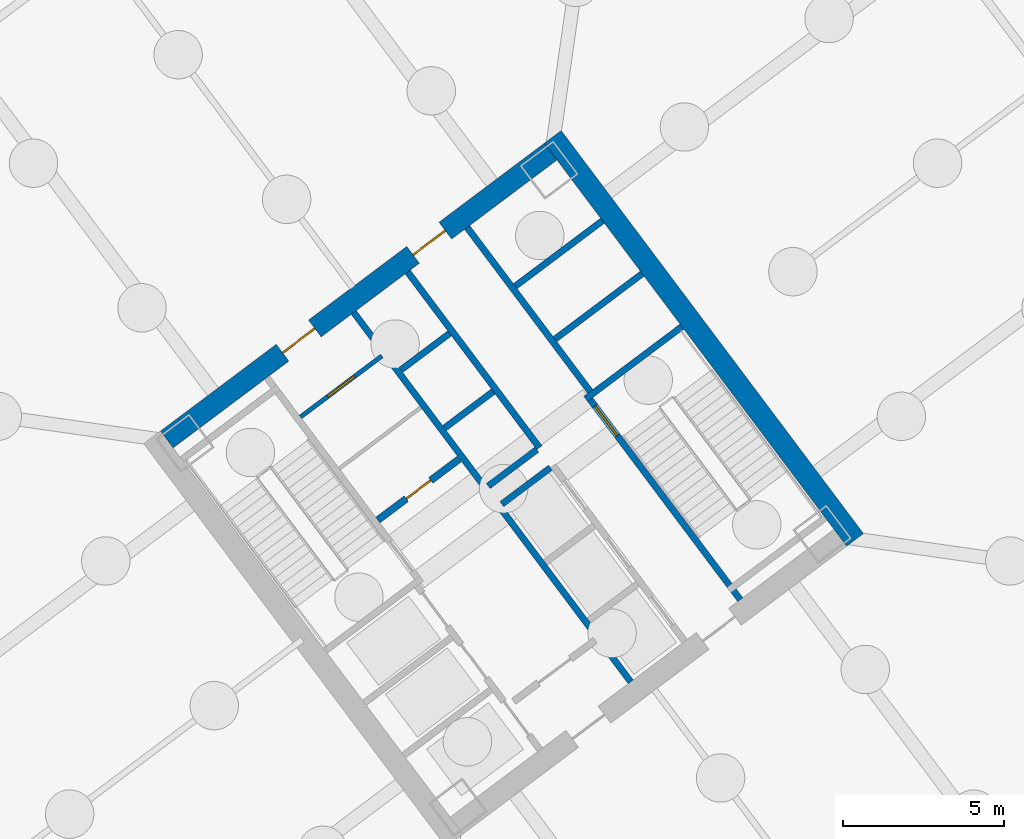
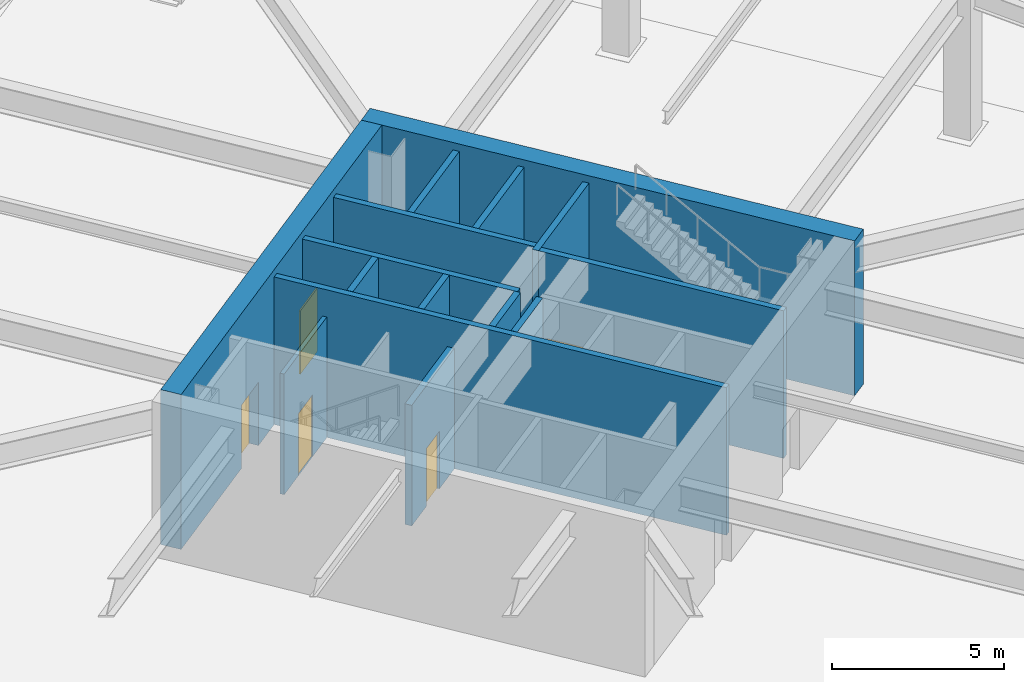
# One storey, part 12 of 19: 15 walls, 5 doors, 5 openings.
"""IFC4 building model written with IfcOpenShell, lengths in metres."""

import ifcopenshell
import ifcopenshell.guid

model = None  # the IFC model being written
_history = None  # IfcOwnerHistory: only IFC2X3 demands one
_inside = {}  # id of a spatial element -> (the spatial element, [elements in it])
_under = {}  # id of a project, library or spatial element -> (it, [spatial elements below it])
_declared = {}  # id of a project -> (the project, [libraries it declares])
_typed = {}  # id of a type object -> (the type object, [elements of that type])
_made_of = {}  # id of a material, layer set ... -> (it, [elements and type objects made of it])


def new_model(schema):
    """Start an empty IFC model of exactly this schema.

    Asked for "IFC4X3", IfcOpenShell would pick the latest addendum, in which some entities
    have other attributes; the version numbers below select the first issue.
    IFC2X3 requires an IfcOwnerHistory on every rooted entity: one is made here for all.
    """
    global model, _history
    if schema == "IFC4X3":
        model = ifcopenshell.file(schema_version=(4, 3, 0, 0))
    else:
        model = ifcopenshell.file(schema=schema)
    _inside.clear()
    _under.clear()
    _declared.clear()
    _typed.clear()
    _made_of.clear()
    _history = None
    if model.schema == "IFC2X3":
        org = make("IfcOrganization", Name="unknown")
        user = make(
            "IfcPersonAndOrganization",
            ThePerson=make("IfcPerson", FamilyName="unknown"),
            TheOrganization=org,
        )
        app = make(
            "IfcApplication",
            ApplicationDeveloper=org,
            Version="unknown",
            ApplicationFullName="unknown",
            ApplicationIdentifier="unknown",
        )
        _history = make(
            "IfcOwnerHistory",
            OwningUser=user,
            OwningApplication=app,
            ChangeAction="ADDED",
            CreationDate=0,
        )
    return model


def make(cls, **values):
    """One entity of the class cls with the attributes given. An attribute that is None is left unset."""
    return model.create_entity(
        cls, **{name: value for name, value in values.items() if value is not None}
    )


def rooted(cls, **values):
    """An entity with a GlobalId (a new one), such as an element, a storey or a relation."""
    return make(cls, GlobalId=ifcopenshell.guid.new(), OwnerHistory=_history, **values)


def si_unit(unit_type, name, prefix=None):
    """IfcSIUnit, for example si_unit("LENGTHUNIT", "METRE", prefix="MILLI")."""
    return make("IfcSIUnit", UnitType=unit_type, Prefix=prefix, Name=name)


def assignment(units):
    """IfcUnitAssignment: the units of a project."""
    return None if units is None else make("IfcUnitAssignment", Units=units)


def point(xyz):
    """IfcCartesianPoint."""
    return None if xyz is None else make("IfcCartesianPoint", Coordinates=xyz)


def direction(xyz):
    """IfcDirection."""
    return None if xyz is None else make("IfcDirection", DirectionRatios=xyz)


def frame(location, z_axis=None, x_axis=None):
    """IfcAxis2Placement3D, a coordinate frame: its origin and axes. An axis left out is left unset."""
    return make(
        "IfcAxis2Placement3D",
        Location=point(location),
        Axis=direction(z_axis),
        RefDirection=direction(x_axis),
    )


def frame_2d(location, x_axis=None):
    """IfcAxis2Placement2D, a coordinate frame in the plane: its origin and x axis."""
    return make(
        "IfcAxis2Placement2D", Location=point(location), RefDirection=direction(x_axis)
    )


def origin():
    """The frame at (0, 0, 0) with its axes left unset."""
    return frame((0.0, 0.0, 0.0))


def place(relative_to, where):
    """IfcLocalPlacement: puts the frame where relative to a parent placement (None: the world)."""
    return make(
        "IfcLocalPlacement", PlacementRelTo=relative_to, RelativePlacement=where
    )


def context(
    kind, dimensions, precision=None, world=None, true_north=None, identifier=None
):
    """IfcGeometricRepresentationContext, for example the 3D "Model" context."""
    return make(
        "IfcGeometricRepresentationContext",
        ContextIdentifier=identifier,
        ContextType=kind,
        CoordinateSpaceDimension=dimensions,
        Precision=precision,
        WorldCoordinateSystem=world,
        TrueNorth=true_north,
    )


def subcontext(parent, identifier, kind, view, scale=None):
    """IfcGeometricRepresentationSubContext, for example "Body" below "Model"."""
    return make(
        "IfcGeometricRepresentationSubContext",
        ContextIdentifier=identifier,
        ContextType=kind,
        ParentContext=parent,
        TargetScale=scale,
        TargetView=view,
    )


def project(units=None, contexts=None):
    """IfcProject with its units and contexts."""
    return rooted(
        "IfcProject",
        Name="project",
        RepresentationContexts=contexts,
        UnitsInContext=assignment(units),
    )


def spatial(cls, under=None, at=None, **own):
    """A site, building, storey or space (cls), placed at a placement, below another one or the project."""
    s = rooted(cls, ObjectPlacement=at, **own)
    if under is not None:
        _under.setdefault(under.id(), (under, []))[1].append(s)
    return s


def profile(cls, at=None, kind="AREA", **sizes):
    """A parametric profile (cls). Its sizes go by their IFC names, for example OverallWidth=200.0."""
    return make(cls, ProfileType=kind, Position=at, **sizes)


def rectangle(**sizes):
    """IfcRectangleProfileDef."""
    return profile("IfcRectangleProfileDef", **sizes)


def extrude(swept, where, along, depth):
    """IfcExtrudedAreaSolid: the profile swept, set in the frame where, extruded along a direction by depth."""
    return make(
        "IfcExtrudedAreaSolid",
        SweptArea=swept,
        Position=where,
        ExtrudedDirection=direction(along),
        Depth=depth,
    )


def shape(context_of_items, identifier, shape_type, items):
    """IfcShapeRepresentation: the items that make up one representation, for example the "Body"."""
    return make(
        "IfcShapeRepresentation",
        ContextOfItems=context_of_items,
        RepresentationIdentifier=identifier,
        RepresentationType=shape_type,
        Items=items,
    )


def material(Name=None, Category=None):
    """IfcMaterial."""
    return make("IfcMaterial", Name=Name, Category=Category)


def layer(
    of_material, thickness, ventilated=None, Name=None, Category=None, Priority=None
):
    """IfcMaterialLayer: one layer of a wall or slab, of a material (None: an air gap)."""
    return make(
        "IfcMaterialLayer",
        Material=of_material,
        LayerThickness=thickness,
        IsVentilated=ventilated,
        Name=Name,
        Category=Category,
        Priority=Priority,
    )


def layer_set(layers, Name=None):
    """IfcMaterialLayerSet."""
    return make("IfcMaterialLayerSet", MaterialLayers=layers, LayerSetName=Name)


def made_of(thing, what):
    """Note that an element or type object is made of a material, layer set ...; save() writes the relation."""
    if what is not None:
        _made_of.setdefault(what.id(), (what, []))[1].append(thing)
    return thing


def type_object(cls, material=None, **own):
    """A type object (cls), such as IfcWallType, which elements share."""
    return made_of(rooted(cls, **own), material)


def element(
    cls,
    number,
    at=None,
    inside=None,
    cuts=None,
    type_object=None,
    material=None,
    context=None,
    identifier="Body",
    shape_type=None,
    held_by="IfcProductDefinitionShape",
    body=None,
    shapes=None,
    **own,
):
    """One element of the class cls, such as IfcWall. Its Tag is "e" and its number.

    at: its placement. inside: the storey or other place that contains it. cuts: it is an
    opening in that element (IfcRelVoidsElement). A single representation is given by context,
    identifier, shape_type and body (its items); several are given by shapes. held_by: the class
    of the entity that holds the representations. save() writes the other relations.
    """
    e = rooted(cls, Tag="e%d" % number, ObjectPlacement=at, **own)
    if body is not None:
        shapes = [shape(context, identifier, shape_type, body)]
    if shapes is not None:
        e.Representation = make(held_by, Representations=shapes)
    if inside is not None:
        _inside.setdefault(inside.id(), (inside, []))[1].append(e)
    if cuts is not None:
        rooted(
            "IfcRelVoidsElement", RelatingBuildingElement=cuts, RelatedOpeningElement=e
        )
    if type_object is not None:
        _typed.setdefault(type_object.id(), (type_object, []))[1].append(e)
    return made_of(e, material)


def fill(opening, filler):
    """IfcRelFillsElement: the door or window that sits in an opening."""
    return rooted(
        "IfcRelFillsElement",
        RelatingOpeningElement=opening,
        RelatedBuildingElement=filler,
    )


def aggregate(whole, parts):
    """IfcRelAggregates: a whole, such as a stair, and the parts it consists of."""
    return rooted("IfcRelAggregates", RelatingObject=whole, RelatedObjects=parts)


def save(model, path):
    """Write the relations noted so far, then the file.

    IfcRelAggregates (storeys below a building ...), IfcRelContainedInSpatialStructure (elements
    in a storey), IfcRelDefinesByType, IfcRelAssociatesMaterial and IfcRelDeclares: one each for
    every whole, place, type object, material and project.
    """
    for whole, parts in _under.values():
        aggregate(whole, parts)
    for where, things in _inside.values():
        rooted(
            "IfcRelContainedInSpatialStructure",
            RelatedElements=things,
            RelatingStructure=where,
        )
    for kind, things in _typed.values():
        rooted("IfcRelDefinesByType", RelatedObjects=things, RelatingType=kind)
    for what, things in _made_of.values():
        rooted("IfcRelAssociatesMaterial", RelatedObjects=things, RelatingMaterial=what)
    for by, libraries in _declared.values():
        rooted("IfcRelDeclares", RelatingContext=by, RelatedDefinitions=libraries)
    model.write(path)


model = new_model("IFC4")

# Units and contexts
model_context = context("Model", 3, precision=1e-05, world=origin(), true_north=direction((0.0, 1.0)))
body_context = subcontext(model_context, "Body", "Model", "MODEL_VIEW")
ifc_project = project(units=[si_unit("LENGTHUNIT", "METRE"), si_unit("AREAUNIT", "SQUARE_METRE"), si_unit("VOLUMEUNIT", "CUBIC_METRE"), si_unit("PLANEANGLEUNIT", "RADIAN"), si_unit("MASSUNIT", "GRAM", prefix="KILO")], contexts=[model_context])

# Site, building, storey
site_placement = place(None, origin())
site = spatial("IfcSite", under=ifc_project, at=site_placement, CompositionType="ELEMENT")
building_placement = place(site_placement, origin())
building = spatial("IfcBuilding", under=site, at=building_placement, Name="Tashvorn Skyway Center", CompositionType="ELEMENT")
storey_placement = place(building_placement, frame((0.0, 0.0, -11.0)))
storey = spatial("IfcBuildingStorey", under=building, at=storey_placement, Name="B2", CompositionType="ELEMENT", Elevation=-11.0)

# Wall
ifc_material_1 = material(Name="Concrete C60/75", Category="concrete")
ifc_layer_1 = layer(ifc_material_1, 0.64990234375)
ifc_layer_set_1 = layer_set([ifc_layer_1], Name="Concrete C60/75")
wall_type_1 = type_object("IfcWallType", Name="WALL-CORE-650", PredefinedType="SHEAR", material=ifc_layer_set_1)
wall_1_placement = place(storey_placement, frame((115.52392578125, 42.89306640625, 0.0), z_axis=(0.0, 0.0, 1.0), x_axis=(0.600005007985, -0.799996243986, 0.0)))
element("IfcWall", 1, at=wall_1_placement, inside=storey, type_object=wall_type_1, Name="Tower 2 B2 East Core Shear Wall", PredefinedType="SHEAR", context=body_context, shape_type="SweptSolid", body=[
    extrude(rectangle(XDim=15.60009765625, YDim=0.64990234375, at=frame_2d((7.800048828125, 0.0))), origin(), (0.0, 0.0, 1.0), 5.5),
])

# Wall, openings, doors
wall_2_placement = place(storey_placement, frame((103.571044921875, 33.52197265625, 0.0), z_axis=(0.0, 0.0, 1.0), x_axis=(0.799998028465, 0.600002628705, 0.0)))
wall_2 = element("IfcWall", 2, at=wall_2_placement, inside=storey, type_object=wall_type_1, Name="Tower 2 B2 North Core Shear Wall", PredefinedType="SHEAR", context=body_context, shape_type="SweptSolid", body=[
    extrude(rectangle(XDim=14.85986328125, YDim=0.64990234375, at=frame_2d((7.429931640625, 0.0))), origin(), (0.0, 0.0, 1.0), 5.5),
])
opening_1_placement = place(wall_2_placement, frame((4.47998046875, 0.0, 0.0)))
opening_1 = element("IfcOpeningElement", 3, at=opening_1_placement, cuts=wall_2, Name="Opening D-FFL-1250", PredefinedType="OPENING", context=body_context, shape_type="SweptSolid", body=[
    extrude(rectangle(XDim=1.25, YDim=2.25, at=frame_2d((0.625, 1.125))), frame((0.0, 0.3349609375, 0.0), z_axis=(0.0, -1.0, 0.0), x_axis=(1.0, 0.0, 0.0)), (0.0, 0.0, 1.0), 0.669921875),
])
opening_2_placement = place(wall_2_placement, frame((9.530029296875, 0.0, 0.0)))
opening_2 = element("IfcOpeningElement", 4, at=opening_2_placement, cuts=wall_2, Name="Opening D-FFL-1250", PredefinedType="OPENING", context=body_context, shape_type="SweptSolid", body=[
    extrude(rectangle(XDim=1.25, YDim=2.25, at=frame_2d((0.625, 1.125))), frame((0.0, 0.3349609375, 0.0), z_axis=(0.0, -1.0, 0.0), x_axis=(1.0, 0.0, 0.0)), (0.0, 0.0, 1.0), 0.669921875),
])
ifc_material_2 = material(Name="Hollow galvanized steel fire door assembly", Category="steel")
door_type_1 = type_object("IfcDoorType", Name="DOOR-FFL-1250", OperationType="NOTDEFINED", PredefinedType="DOOR", material=ifc_material_2)
door_1_placement = place(opening_1_placement, origin())
door_1 = element("IfcDoor", 5, at=door_1_placement, inside=storey, type_object=door_type_1, Name="Tower 2 B2 Core North Service Lobby Door", OperationType="SINGLE_SWING_LEFT", OverallHeight=2.25, OverallWidth=1.25, PredefinedType="DOOR", context=body_context, shape_type="SweptSolid", body=[
    extrude(rectangle(XDim=1.25, YDim=2.25, at=frame_2d((0.625, 1.125))), frame((0.0, 0.02490234375, 0.0), z_axis=(0.0, -1.0, 0.0), x_axis=(1.0, 0.0, 0.0)), (0.0, 0.0, 1.0), 0.050048828125),
])
fill(opening_1, door_1)
door_2_placement = place(opening_2_placement, origin())
door_2 = element("IfcDoor", 6, at=door_2_placement, inside=storey, type_object=door_type_1, Name="Tower 2 B2 Core North Lift Lobby Door", OperationType="SINGLE_SWING_RIGHT", OverallHeight=2.25, OverallWidth=1.25, PredefinedType="DOOR", context=body_context, shape_type="SweptSolid", body=[
    extrude(rectangle(XDim=1.25, YDim=2.25, at=frame_2d((0.625, 1.125))), frame((0.0, 0.02490234375, 0.0), z_axis=(0.0, -1.0, 0.0), x_axis=(1.0, 0.0, 0.0)), (0.0, 0.0, 1.0), 0.050048828125),
])
fill(opening_2, door_2)

# Wall, opening, door
ifc_material_3 = material(Name="Concrete C40/50", Category="concrete")
ifc_layer_2 = layer(ifc_material_3, 0.219970703125)
ifc_layer_set_2 = layer_set([ifc_layer_2], Name="Concrete C40/50")
wall_type_2 = type_object("IfcWallType", Name="WALL-FFL-220", PredefinedType="SOLIDWALL", material=ifc_layer_set_2)
wall_3_placement = place(storey_placement, frame((110.10400390625, 31.028076171875, 0.0), z_axis=(0.0, 0.0, 1.0), x_axis=(0.800018601094, 0.59997519774, 0.0)))
wall_3 = element("IfcWall", 7, at=wall_3_placement, inside=storey, type_object=wall_type_2, Name="Tower 2 B2 Firefighting Lobby North Wall", PredefinedType="SOLIDWALL", context=body_context, shape_type="SweptSolid", body=[
    extrude(rectangle(XDim=3.14990234375, YDim=0.219970703125, at=frame_2d((1.574951171875, 0.0))), origin(), (0.0, 0.0, 1.0), 4.282958984375),
])
opening_3_placement = place(wall_3_placement, frame((1.10009765625, 0.0, 0.0)))
opening_3 = element("IfcOpeningElement", 8, at=opening_3_placement, cuts=wall_3, Name="Opening D-RT-950", PredefinedType="OPENING", context=body_context, shape_type="SweptSolid", body=[
    extrude(rectangle(XDim=0.949951171875, YDim=2.050048828125, at=frame_2d((0.47509765625, 1.02490234375))), frame((0.0, 0.119873046875, 0.0), z_axis=(0.0, -1.0, 0.0), x_axis=(1.0, 0.0, 0.0)), (0.0, 0.0, 1.0), 0.239990234375),
])
door_type_2 = type_object("IfcDoorType", Name="DOOR-RATED-950", OperationType="NOTDEFINED", PredefinedType="DOOR", material=ifc_material_2)
door_3_placement = place(opening_3_placement, origin())
door_3 = element("IfcDoor", 9, at=door_3_placement, inside=storey, type_object=door_type_2, Name="Tower 2 B2 Core Linen Store Door", OperationType="SINGLE_SWING_LEFT", OverallHeight=2.050048828125, OverallWidth=0.949951171875, PredefinedType="DOOR", context=body_context, shape_type="SweptSolid", body=[
    extrude(rectangle(XDim=0.949951171875, YDim=2.050048828125, at=frame_2d((0.47509765625, 1.02490234375))), frame((0.0, 0.02490234375, 0.0), z_axis=(0.0, -1.0, 0.0), x_axis=(1.0, 0.0, 0.0)), (0.0, 0.0, 1.0), 0.050048828125),
])
fill(opening_3, door_3)

ifc_material_4 = material(Name="Gypsum board on cold-formed steel stud framing", Category="steel")
ifc_layer_3 = layer(ifc_material_4, 0.135009765625)
ifc_layer_set_3 = layer_set([ifc_layer_3], Name="Gypsum board on cold-formed steel stud framing")
wall_type_3 = type_object("IfcWallType", Name="WALL-RATED-135", PredefinedType="PARTITIONING", material=ifc_layer_set_3)
wall_4_placement = place(storey_placement, frame((107.7099609375, 34.219970703125, 0.0), z_axis=(0.0, 0.0, 1.0), x_axis=(0.799981399002, 0.60002480053, 0.0)))
wall_4 = element("IfcWall", 10, at=wall_4_placement, inside=storey, type_object=wall_type_3, Name="Tower 2 B2 Core Service Lobby Wall", PredefinedType="PARTITIONING", context=body_context, shape_type="SweptSolid", body=[
    extrude(rectangle(XDim=3.150146484375, YDim=0.135009765625, at=frame_2d((1.5751953125, 0.0))), origin(), (0.0, 0.0, 1.0), 4.282958984375),
])
opening_4_placement = place(wall_4_placement, frame((1.050048828125, 0.0, 0.0)))
opening_4 = element("IfcOpeningElement", 11, at=opening_4_placement, cuts=wall_4, Name="Opening D-RT-1050", PredefinedType="OPENING", context=body_context, shape_type="SweptSolid", body=[
    extrude(rectangle(XDim=1.050048828125, YDim=2.199951171875, at=frame_2d((0.52490234375, 1.10009765625))), frame((0.0, 0.077392578125, 0.0), z_axis=(0.0, -1.0, 0.0), x_axis=(1.0, 0.0, 0.0)), (0.0, 0.0, 1.0), 0.155029296875),
])
door_type_3 = type_object("IfcDoorType", Name="DOOR-RATED-1050", OperationType="NOTDEFINED", PredefinedType="DOOR", material=ifc_material_2)
door_4_placement = place(opening_4_placement, origin())
door_4 = element("IfcDoor", 12, at=door_4_placement, inside=storey, type_object=door_type_3, Name="Tower 2 B2 Core Accessible WC Door", OperationType="SINGLE_SWING_RIGHT", OverallHeight=2.199951171875, OverallWidth=1.050048828125, PredefinedType="DOOR", context=body_context, shape_type="SweptSolid", body=[
    extrude(rectangle(XDim=1.050048828125, YDim=2.199951171875, at=frame_2d((0.52490234375, 1.10009765625))), frame((0.0, 0.02490234375, 0.0), z_axis=(0.0, -1.0, 0.0), x_axis=(1.0, 0.0, 0.0)), (0.0, 0.0, 1.0), 0.050048828125),
])
fill(opening_4, door_4)

# Walls
ifc_layer_4 = layer(ifc_material_3, 0.199951171875)
ifc_layer_set_4 = layer_set([ifc_layer_4], Name="Concrete C40/50")
wall_type_4 = type_object("IfcWallType", Name="WALL-SHAFT-200", PredefinedType="SOLIDWALL", material=ifc_layer_set_4)
for number, where, z_axis, x_axis, name in (
    (13, (115.590087890625, 36.6298828125, 0.0), (0.0, 0.0, 1.0), (0.799973995579, 0.600034670996, 0.0), "Tower 2 B2 High-Rise Shaft Divider"),
    (14, (114.360107421875, 38.27001953125, 0.0), (0.0, 0.0, 1.0), (0.799973995579, 0.600034670996, 0.0), "Tower 2 B2 High-Rise Shaft Divider"),
):
    element("IfcWall", number, at=place(storey_placement, frame(where, z_axis=z_axis, x_axis=x_axis)), inside=storey, type_object=wall_type_4, Name=name, PredefinedType="SOLIDWALL", context=body_context, shape_type="SweptSolid", body=[
        extrude(rectangle(XDim=3.3798828125, YDim=0.199951171875, at=frame_2d((1.68994140625, 0.0))), origin(), (0.0, 0.0, 1.0), 5.239990234375),
    ])
wall_5_placement = place(storey_placement, frame((113.946044921875, 31.52197265625, 0.0), z_axis=(0.0, 0.0, 1.0), x_axis=(0.8, 0.6, 0.0)))
element("IfcWall", 15, at=wall_5_placement, inside=storey, type_object=wall_type_4, Name="Tower 2 B2 Low-Rise Shaft Divider", PredefinedType="SOLIDWALL", context=body_context, shape_type="SweptSolid", body=[
    extrude(rectangle(XDim=1.8798828125, YDim=0.199951171875, at=frame_2d((0.93994140625, 0.0))), origin(), (0.0, 0.0, 1.0), 5.239990234375),
])
wall_6_placement = place(storey_placement, frame((115.110107421875, 33.27001953125, 0.0), z_axis=(0.0, 0.0, 1.0), x_axis=(-0.600011488909, 0.79999138319, 0.0)))
element("IfcWall", 16, at=wall_6_placement, inside=storey, type_object=wall_type_4, Name="Tower 2 B2 Mid-Rise Core Wall", PredefinedType="SOLIDWALL", context=body_context, shape_type="SweptSolid", body=[
    extrude(rectangle(XDim=6.800048828125, YDim=0.199951171875, at=frame_2d((3.39990234375, 0.0))), origin(), (0.0, 0.0, 1.0), 5.239990234375),
])
wall_7_placement = place(storey_placement, frame((113.52587890625, 32.08203125, 0.0), z_axis=(0.0, 0.0, 1.0), x_axis=(0.800046745961, 0.599937666993, 0.0)))
element("IfcWall", 17, at=wall_7_placement, inside=storey, type_object=wall_type_4, Name="Tower 2 B2 Mid-Rise Shaft Divider", PredefinedType="SOLIDWALL", context=body_context, shape_type="SweptSolid", body=[
    extrude(rectangle(XDim=1.880126953125, YDim=0.199951171875, at=frame_2d((0.93994140625, 0.0))), origin(), (0.0, 0.0, 1.0), 5.239990234375),
])
wall_8_placement = place(storey_placement, frame((112.176025390625, 33.882080078125, 0.0), z_axis=(0.0, 0.0, 1.0), x_axis=(0.8, 0.6, 0.0)))
element("IfcWall", 18, at=wall_8_placement, inside=storey, type_object=wall_type_4, Name="Tower 2 B2 Mid-Rise Shaft Divider", PredefinedType="SOLIDWALL", context=body_context, shape_type="SweptSolid", body=[
    extrude(rectangle(XDim=1.8798828125, YDim=0.199951171875, at=frame_2d((0.93994140625, 0.0))), origin(), (0.0, 0.0, 1.0), 5.239990234375),
])
wall_9_placement = place(storey_placement, frame((110.825927734375, 35.681884765625, 0.0), z_axis=(0.0, 0.0, 1.0), x_axis=(0.799984418148, 0.600020775241, 0.0)))
element("IfcWall", 19, at=wall_9_placement, inside=storey, type_object=wall_type_4, Name="Tower 2 B2 Mid-Rise Shaft Divider", PredefinedType="SOLIDWALL", context=body_context, shape_type="SweptSolid", body=[
    extrude(rectangle(XDim=1.880126953125, YDim=0.199951171875, at=frame_2d((0.93994140625, 0.0))), origin(), (0.0, 0.0, 1.0), 5.239990234375),
])

# Wall, opening, door
ifc_layer_5 = layer(ifc_material_3, 0.199951171875)
ifc_layer_set_5 = layer_set([ifc_layer_5], Name="Concrete C40/50")
wall_type_5 = type_object("IfcWallType", Name="WALL-STSHF-200", PredefinedType="SHEAR", material=ifc_layer_set_5)
wall_10_placement = place(storey_placement, frame((116.56005859375, 34.919921875, 0.0), z_axis=(0.0, 0.0, 1.0), x_axis=(0.600009827119, -0.799992629566, 0.0)))
wall_10 = element("IfcWall", 20, at=wall_10_placement, inside=storey, type_object=wall_type_5, Name="Tower 2 B2 Stair 2 Enclosure Wall", PredefinedType="SHEAR", context=body_context, shape_type="SweptSolid", body=[
    extrude(rectangle(XDim=7.949951171875, YDim=0.199951171875, at=frame_2d((3.97509765625, 0.0))), origin(), (0.0, 0.0, 1.0), 5.239990234375),
])
opening_5_placement = place(wall_10_placement, frame((0.449951171875, 0.0, 0.0)))
opening_5 = element("IfcOpeningElement", 21, at=opening_5_placement, cuts=wall_10, Name="Opening D-ST-1150", PredefinedType="OPENING", context=body_context, shape_type="SweptSolid", body=[
    extrude(rectangle(XDim=1.14990234375, YDim=2.199951171875, at=frame_2d((0.574951171875, 1.10009765625))), frame((0.0, 0.10986328125, 0.0), z_axis=(0.0, -1.0, 0.0), x_axis=(1.0, 0.0, 0.0)), (0.0, 0.0, 1.0), 0.219970703125),
])
door_type_4 = type_object("IfcDoorType", Name="DOOR-STAIR-1150", OperationType="NOTDEFINED", PredefinedType="DOOR", material=ifc_material_2)
door_5_placement = place(opening_5_placement, origin())
door_5 = element("IfcDoor", 22, at=door_5_placement, inside=storey, type_object=door_type_4, Name="Tower 2 B2 Exit Stair 2 Door", OperationType="SINGLE_SWING_RIGHT", OverallHeight=2.199951171875, OverallWidth=1.14990234375, PredefinedType="DOOR", context=body_context, shape_type="SweptSolid", body=[
    extrude(rectangle(XDim=1.14990234375, YDim=2.199951171875, at=frame_2d((0.574951171875, 1.10009765625))), frame((0.0, 0.02490234375, 0.0), z_axis=(0.0, -1.0, 0.0), x_axis=(1.0, 0.0, 0.0)), (0.0, 0.0, 1.0), 0.050048828125),
])
fill(opening_5, door_5)

# Walls
wall_11_placement = place(storey_placement, frame((116.5400390625, 34.780029296875, 0.0), z_axis=(0.0, 0.0, 1.0), x_axis=(0.799984290658, 0.600020945218, 0.0)))
element("IfcWall", 23, at=wall_11_placement, inside=storey, type_object=wall_type_5, Name="Tower 2 B2 Stair 2 North Wall", PredefinedType="SHEAR", context=body_context, shape_type="SweptSolid", body=[
    extrude(rectangle(XDim=3.72998046875, YDim=0.199951171875, at=frame_2d((1.864990234375, 0.0))), origin(), (0.0, 0.0, 1.0), 5.239990234375),
])
wall_12_placement = place(storey_placement, frame((117.93798828125, 26.01611328125, 0.0), z_axis=(0.0, 0.0, 1.0), x_axis=(-0.600005463273, 0.799995902516, 0.0)))
element("IfcWall", 24, at=wall_12_placement, inside=storey, type_object=wall_type_5, Name="Tower 2 B2 Firefighting Lobby East Smoke Barrier", PredefinedType="SHEAR", context=body_context, shape_type="SweptSolid", body=[
    extrude(rectangle(XDim=14.300048828125, YDim=0.199951171875, at=frame_2d((7.14990234375, 0.0))), origin(), (0.0, 0.0, 1.0), 5.239990234375),
])
wall_13_placement = place(storey_placement, frame((112.8701171875, 40.090087890625, 0.0), z_axis=(0.0, 0.0, 1.0), x_axis=(0.599975393228, -0.800018454488, 0.0)))
element("IfcWall", 25, at=wall_13_placement, inside=storey, type_object=wall_type_5, Name="Tower 2 B2 High-Rise Lift Shaft Front Wall", PredefinedType="SHEAR", context=body_context, shape_type="SweptSolid", body=[
    extrude(rectangle(XDim=6.349853515625, YDim=0.199951171875, at=frame_2d((3.1748046875, 0.0))), origin(), (0.0, 0.0, 1.0), 5.239990234375),
])

save(model, "model.ifc")
